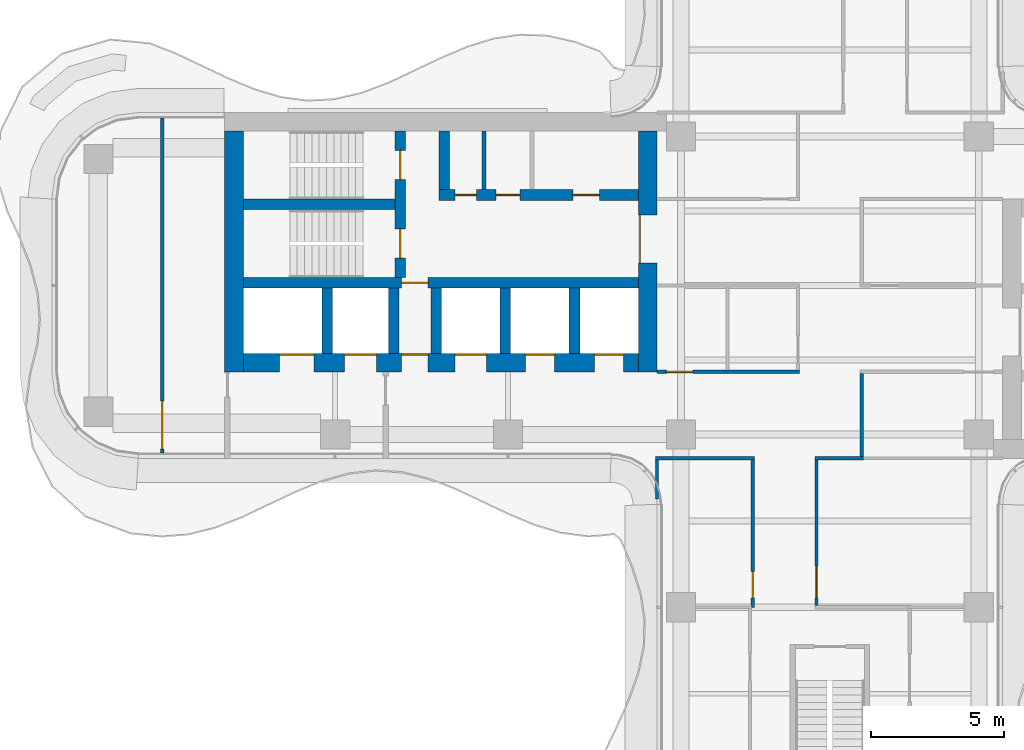
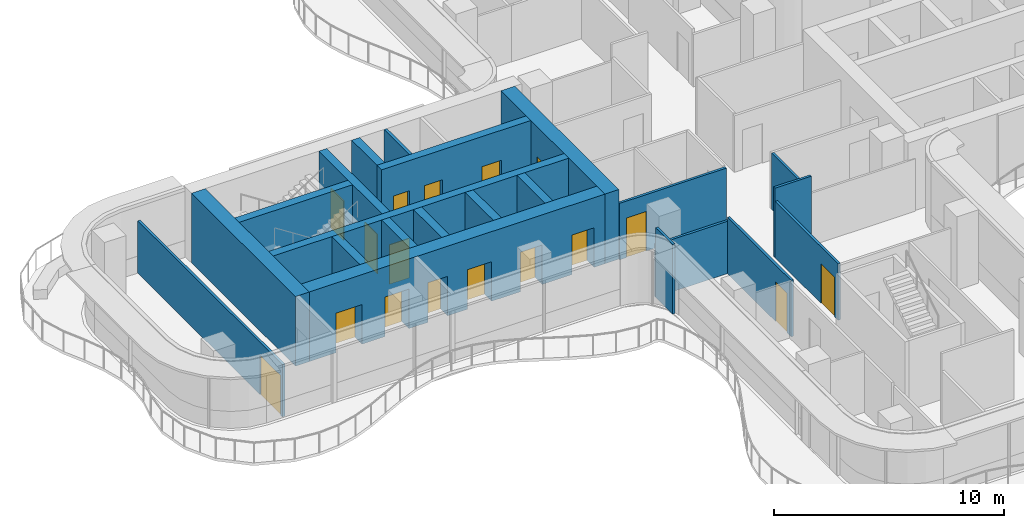
# One storey, part 12 of 17: 22 walls, 17 doors, 17 openings.
"""IFC4 building model written with IfcOpenShell, lengths in metres."""

import ifcopenshell
import ifcopenshell.guid

model = None  # the IFC model being written
_history = None  # IfcOwnerHistory: only IFC2X3 demands one
_inside = {}  # id of a spatial element -> (the spatial element, [elements in it])
_under = {}  # id of a project, library or spatial element -> (it, [spatial elements below it])
_declared = {}  # id of a project -> (the project, [libraries it declares])
_typed = {}  # id of a type object -> (the type object, [elements of that type])
_made_of = {}  # id of a material, layer set ... -> (it, [elements and type objects made of it])


def new_model(schema):
    """Start an empty IFC model of exactly this schema.

    Asked for "IFC4X3", IfcOpenShell would pick the latest addendum, in which some entities
    have other attributes; the version numbers below select the first issue.
    IFC2X3 requires an IfcOwnerHistory on every rooted entity: one is made here for all.
    """
    global model, _history
    if schema == "IFC4X3":
        model = ifcopenshell.file(schema_version=(4, 3, 0, 0))
    else:
        model = ifcopenshell.file(schema=schema)
    _inside.clear()
    _under.clear()
    _declared.clear()
    _typed.clear()
    _made_of.clear()
    _history = None
    if model.schema == "IFC2X3":
        org = make("IfcOrganization", Name="unknown")
        user = make(
            "IfcPersonAndOrganization",
            ThePerson=make("IfcPerson", FamilyName="unknown"),
            TheOrganization=org,
        )
        app = make(
            "IfcApplication",
            ApplicationDeveloper=org,
            Version="unknown",
            ApplicationFullName="unknown",
            ApplicationIdentifier="unknown",
        )
        _history = make(
            "IfcOwnerHistory",
            OwningUser=user,
            OwningApplication=app,
            ChangeAction="ADDED",
            CreationDate=0,
        )
    return model


def make(cls, **values):
    """One entity of the class cls with the attributes given. An attribute that is None is left unset."""
    return model.create_entity(
        cls, **{name: value for name, value in values.items() if value is not None}
    )


def rooted(cls, **values):
    """An entity with a GlobalId (a new one), such as an element, a storey or a relation."""
    return make(cls, GlobalId=ifcopenshell.guid.new(), OwnerHistory=_history, **values)


def si_unit(unit_type, name, prefix=None):
    """IfcSIUnit, for example si_unit("LENGTHUNIT", "METRE", prefix="MILLI")."""
    return make("IfcSIUnit", UnitType=unit_type, Prefix=prefix, Name=name)


def assignment(units):
    """IfcUnitAssignment: the units of a project."""
    return None if units is None else make("IfcUnitAssignment", Units=units)


def point(xyz):
    """IfcCartesianPoint."""
    return None if xyz is None else make("IfcCartesianPoint", Coordinates=xyz)


def direction(xyz):
    """IfcDirection."""
    return None if xyz is None else make("IfcDirection", DirectionRatios=xyz)


def frame(location, z_axis=None, x_axis=None):
    """IfcAxis2Placement3D, a coordinate frame: its origin and axes. An axis left out is left unset."""
    return make(
        "IfcAxis2Placement3D",
        Location=point(location),
        Axis=direction(z_axis),
        RefDirection=direction(x_axis),
    )


def frame_2d(location, x_axis=None):
    """IfcAxis2Placement2D, a coordinate frame in the plane: its origin and x axis."""
    return make(
        "IfcAxis2Placement2D", Location=point(location), RefDirection=direction(x_axis)
    )


def origin():
    """The frame at (0, 0, 0) with its axes left unset."""
    return frame((0.0, 0.0, 0.0))


def place(relative_to, where):
    """IfcLocalPlacement: puts the frame where relative to a parent placement (None: the world)."""
    return make(
        "IfcLocalPlacement", PlacementRelTo=relative_to, RelativePlacement=where
    )


def context(
    kind, dimensions, precision=None, world=None, true_north=None, identifier=None
):
    """IfcGeometricRepresentationContext, for example the 3D "Model" context."""
    return make(
        "IfcGeometricRepresentationContext",
        ContextIdentifier=identifier,
        ContextType=kind,
        CoordinateSpaceDimension=dimensions,
        Precision=precision,
        WorldCoordinateSystem=world,
        TrueNorth=true_north,
    )


def subcontext(parent, identifier, kind, view, scale=None):
    """IfcGeometricRepresentationSubContext, for example "Body" below "Model"."""
    return make(
        "IfcGeometricRepresentationSubContext",
        ContextIdentifier=identifier,
        ContextType=kind,
        ParentContext=parent,
        TargetScale=scale,
        TargetView=view,
    )


def project(units=None, contexts=None):
    """IfcProject with its units and contexts."""
    return rooted(
        "IfcProject",
        Name="project",
        RepresentationContexts=contexts,
        UnitsInContext=assignment(units),
    )


def spatial(cls, under=None, at=None, **own):
    """A site, building, storey or space (cls), placed at a placement, below another one or the project."""
    s = rooted(cls, ObjectPlacement=at, **own)
    if under is not None:
        _under.setdefault(under.id(), (under, []))[1].append(s)
    return s


def profile(cls, at=None, kind="AREA", **sizes):
    """A parametric profile (cls). Its sizes go by their IFC names, for example OverallWidth=200.0."""
    return make(cls, ProfileType=kind, Position=at, **sizes)


def rectangle(**sizes):
    """IfcRectangleProfileDef."""
    return profile("IfcRectangleProfileDef", **sizes)


def extrude(swept, where, along, depth):
    """IfcExtrudedAreaSolid: the profile swept, set in the frame where, extruded along a direction by depth."""
    return make(
        "IfcExtrudedAreaSolid",
        SweptArea=swept,
        Position=where,
        ExtrudedDirection=direction(along),
        Depth=depth,
    )


def shape(context_of_items, identifier, shape_type, items):
    """IfcShapeRepresentation: the items that make up one representation, for example the "Body"."""
    return make(
        "IfcShapeRepresentation",
        ContextOfItems=context_of_items,
        RepresentationIdentifier=identifier,
        RepresentationType=shape_type,
        Items=items,
    )


def source(mapping_origin, context_of_items, identifier, shape_type, items):
    """IfcRepresentationMap: a shape defined once, which mapped items show again and again."""
    return make(
        "IfcRepresentationMap",
        MappingOrigin=mapping_origin,
        MappedRepresentation=shape(context_of_items, identifier, shape_type, items),
    )


def transform(
    local_origin,
    x_axis=None,
    y_axis=None,
    z_axis=None,
    scale=None,
    scale2=None,
    scale3=None,
    uniform=True,
):
    """IfcCartesianTransformationOperator3D, or its non-uniform kind. x_axis, y_axis, z_axis: its Axis1, 2, 3."""
    if uniform:
        return make(
            "IfcCartesianTransformationOperator3D",
            Axis1=direction(x_axis),
            Axis2=direction(y_axis),
            LocalOrigin=point(local_origin),
            Scale=scale,
            Axis3=direction(z_axis),
        )
    return make(
        "IfcCartesianTransformationOperator3DnonUniform",
        Axis1=direction(x_axis),
        Axis2=direction(y_axis),
        LocalOrigin=point(local_origin),
        Scale=scale,
        Axis3=direction(z_axis),
        Scale2=scale2,
        Scale3=scale3,
    )


def mapped(mapping_source, mapping_target):
    """IfcMappedItem: shows the shape of a source again, moved by a transform."""
    return make(
        "IfcMappedItem", MappingSource=mapping_source, MappingTarget=mapping_target
    )


def material(Name=None, Category=None):
    """IfcMaterial."""
    return make("IfcMaterial", Name=Name, Category=Category)


def layer(
    of_material, thickness, ventilated=None, Name=None, Category=None, Priority=None
):
    """IfcMaterialLayer: one layer of a wall or slab, of a material (None: an air gap)."""
    return make(
        "IfcMaterialLayer",
        Material=of_material,
        LayerThickness=thickness,
        IsVentilated=ventilated,
        Name=Name,
        Category=Category,
        Priority=Priority,
    )


def layer_set(layers, Name=None):
    """IfcMaterialLayerSet."""
    return make("IfcMaterialLayerSet", MaterialLayers=layers, LayerSetName=Name)


def made_of(thing, what):
    """Note that an element or type object is made of a material, layer set ...; save() writes the relation."""
    if what is not None:
        _made_of.setdefault(what.id(), (what, []))[1].append(thing)
    return thing


def type_object(cls, material=None, **own):
    """A type object (cls), such as IfcWallType, which elements share."""
    return made_of(rooted(cls, **own), material)


def element(
    cls,
    number,
    at=None,
    inside=None,
    cuts=None,
    type_object=None,
    material=None,
    context=None,
    identifier="Body",
    shape_type=None,
    held_by="IfcProductDefinitionShape",
    body=None,
    shapes=None,
    **own,
):
    """One element of the class cls, such as IfcWall. Its Tag is "e" and its number.

    at: its placement. inside: the storey or other place that contains it. cuts: it is an
    opening in that element (IfcRelVoidsElement). A single representation is given by context,
    identifier, shape_type and body (its items); several are given by shapes. held_by: the class
    of the entity that holds the representations. save() writes the other relations.
    """
    e = rooted(cls, Tag="e%d" % number, ObjectPlacement=at, **own)
    if body is not None:
        shapes = [shape(context, identifier, shape_type, body)]
    if shapes is not None:
        e.Representation = make(held_by, Representations=shapes)
    if inside is not None:
        _inside.setdefault(inside.id(), (inside, []))[1].append(e)
    if cuts is not None:
        rooted(
            "IfcRelVoidsElement", RelatingBuildingElement=cuts, RelatedOpeningElement=e
        )
    if type_object is not None:
        _typed.setdefault(type_object.id(), (type_object, []))[1].append(e)
    return made_of(e, material)


def fill(opening, filler):
    """IfcRelFillsElement: the door or window that sits in an opening."""
    return rooted(
        "IfcRelFillsElement",
        RelatingOpeningElement=opening,
        RelatedBuildingElement=filler,
    )


def aggregate(whole, parts):
    """IfcRelAggregates: a whole, such as a stair, and the parts it consists of."""
    return rooted("IfcRelAggregates", RelatingObject=whole, RelatedObjects=parts)


def save(model, path):
    """Write the relations noted so far, then the file.

    IfcRelAggregates (storeys below a building ...), IfcRelContainedInSpatialStructure (elements
    in a storey), IfcRelDefinesByType, IfcRelAssociatesMaterial and IfcRelDeclares: one each for
    every whole, place, type object, material and project.
    """
    for whole, parts in _under.values():
        aggregate(whole, parts)
    for where, things in _inside.values():
        rooted(
            "IfcRelContainedInSpatialStructure",
            RelatedElements=things,
            RelatingStructure=where,
        )
    for kind, things in _typed.values():
        rooted("IfcRelDefinesByType", RelatedObjects=things, RelatingType=kind)
    for what, things in _made_of.values():
        rooted("IfcRelAssociatesMaterial", RelatedObjects=things, RelatingMaterial=what)
    for by, libraries in _declared.values():
        rooted("IfcRelDeclares", RelatingContext=by, RelatedDefinitions=libraries)
    model.write(path)


model = new_model("IFC4")

# Units and contexts
model_context = context("Model", 3, precision=1e-05, world=origin(), true_north=direction((0.0, 1.0)))
body_context = subcontext(model_context, "Body", "Model", "MODEL_VIEW")
ifc_project = project(units=[si_unit("LENGTHUNIT", "METRE"), si_unit("AREAUNIT", "SQUARE_METRE"), si_unit("VOLUMEUNIT", "CUBIC_METRE"), si_unit("PLANEANGLEUNIT", "RADIAN"), si_unit("MASSUNIT", "GRAM", prefix="KILO")], contexts=[model_context])

# Site, building, storey
site_placement = place(None, origin())
site = spatial("IfcSite", under=ifc_project, at=site_placement, CompositionType="ELEMENT")
building_placement = place(site_placement, origin())
building = spatial("IfcBuilding", under=site, at=building_placement, Name="Trellis Farm Tower", CompositionType="ELEMENT")
storey_placement = place(building_placement, frame((0.0, 0.0, 240.199951171875)))
storey = spatial("IfcBuildingStorey", under=building, at=storey_placement, Name="L53", CompositionType="ELEMENT", Elevation=240.199951171875)

# Wall, opening, door
ifc_material_1 = material(Name="Concrete C60/75", Category="concrete")
ifc_layer_1 = layer(ifc_material_1, 0.699951171875)
ifc_layer_set_1 = layer_set([ifc_layer_1], Name="CORE OUTER WALL 700 CONCRETE C60/75")
wall_type_1 = type_object("IfcWallType", Name="CORE OUTER WALL 700 CONCRETE C60/75", PredefinedType="SHEAR", material=ifc_layer_set_1)
shared_shape_1 = source(origin(), body_context, "Body", "SweptSolid", [
    extrude(rectangle(XDim=9.050048828125, YDim=0.699951171875, at=frame_2d((4.52490234375, 0.0))), origin(), (0.0, 0.0, 1.0), 3.699951171875),
])
wall_1_placement = place(storey_placement, frame((-6.85009765625, 5.800048828125, 0.0), z_axis=(0.0, 0.0, 1.0), x_axis=(0.0, -1.0, 0.0)))
wall_1 = element("IfcWall", 1, at=wall_1_placement, inside=storey, type_object=wall_type_1, Name="Core wall", PredefinedType="SHEAR", context=body_context, shape_type="MappedRepresentation", body=[
    mapped(shared_shape_1, transform((0.0, 0.0, 0.0))),
])
shared_shape_2 = source(origin(), body_context, "Body", "SweptSolid", [
    extrude(rectangle(XDim=1.800048828125, YDim=2.10009765625, at=frame_2d((0.89990234375, 1.050048828125))), frame((0.0, 0.360107421875, 0.0), z_axis=(0.0, -1.0, 0.0), x_axis=(1.0, 0.0, 0.0)), (0.0, 0.0, 1.0), 0.72021484375),
])
opening_1_placement = place(wall_1_placement, frame((3.14990234375, 0.0, 0.0)))
opening_1 = element("IfcOpeningElement", 2, at=opening_1_placement, cuts=wall_1, Name="Opening DC87", PredefinedType="OPENING", context=body_context, shape_type="MappedRepresentation", body=[
    mapped(shared_shape_2, transform((0.0, 0.0, 0.0))),
])
ifc_material_2 = material(Name="Steel", Category="steel")
door_type_1 = type_object("IfcDoorType", Name="CORE FIRE DOOR DOUBLE 1800 X 2100", OperationType="DOUBLE_DOOR_SINGLE_SWING", PredefinedType="DOOR", material=ifc_material_2)
shared_shape_3 = source(origin(), body_context, "Body", "SweptSolid", [
    extrude(rectangle(XDim=1.800048828125, YDim=2.10009765625, at=frame_2d((0.89990234375, 1.050048828125))), frame((0.0, -0.27490234375, 0.0), z_axis=(0.0, -1.0, 0.0), x_axis=(1.0, 0.0, 0.0)), (0.0, 0.0, 1.0), 0.050048828125),
])
door_1_placement = place(opening_1_placement, origin())
door_1 = element("IfcDoor", 3, at=door_1_placement, inside=storey, type_object=door_type_1, Name="Core door", OperationType="DOUBLE_DOOR_SINGLE_SWING", OverallHeight=2.10009765625, OverallWidth=1.800048828125, PredefinedType="DOOR", context=body_context, shape_type="MappedRepresentation", body=[
    mapped(shared_shape_3, transform((0.0, 0.0, 0.0))),
])
fill(opening_1, door_1)

# Walls
wall_2_placement = place(storey_placement, frame((-22.39990234375, 5.800048828125, 0.0), z_axis=(0.0, 0.0, 1.0), x_axis=(0.0, -1.0, 0.0)))
element("IfcWall", 4, at=wall_2_placement, inside=storey, type_object=wall_type_1, Name="Core wall", PredefinedType="SHEAR", context=body_context, shape_type="MappedRepresentation", body=[
    mapped(shared_shape_1, transform((0.0, 0.0, 0.0))),
])
ifc_layer_2 = layer(ifc_material_1, 0.39990234375)
ifc_layer_set_2 = layer_set([ifc_layer_2], Name="CORE INNER WALL 400 CONCRETE C60/75")
wall_type_2 = type_object("IfcWallType", Name="CORE INNER WALL 400 CONCRETE C60/75", PredefinedType="SHEAR", material=ifc_layer_set_2)
shared_shape_4 = source(origin(), body_context, "Body", "SweptSolid", [
    extrude(rectangle(XDim=2.449951171875, YDim=0.39990234375, at=frame_2d((1.22509765625, 0.0))), origin(), (0.0, 0.0, 1.0), 3.699951171875),
])
for number, where, z_axis, x_axis, name in (
    (5, (-9.60009765625, -0.10009765625, 0.0), (0.0, 0.0, 1.0), (0.0, -1.0, 0.0), "Core wall"),
    (6, (-12.199951171875, -0.10009765625, 0.0), (0.0, 0.0, 1.0), (0.0, -1.0, 0.0), "Core wall"),
    (7, (-14.800048828125, -0.10009765625, 0.0), (0.0, 0.0, 1.0), (0.0, -1.0, 0.0), "Core wall"),
    (8, (-16.39990234375, -0.10009765625, 0.0), (0.0, 0.0, 1.0), (0.0, -1.0, 0.0), "Core wall"),
    (9, (-18.89990234375, -0.10009765625, 0.0), (0.0, 0.0, 1.0), (0.0, -1.0, 0.0), "Core wall"),
):
    element("IfcWall", number, at=place(storey_placement, frame(where, z_axis=z_axis, x_axis=x_axis)), inside=storey, type_object=wall_type_2, Name=name, PredefinedType="SHEAR", context=body_context, shape_type="MappedRepresentation", body=[
        mapped(shared_shape_4, transform((0.0, 0.0, 0.0))),
    ])

# Wall, openings, doors
shared_shape_5 = source(origin(), body_context, "Body", "SweptSolid", [
    extrude(rectangle(XDim=14.85009765625, YDim=0.699951171875, at=frame_2d((7.425048828125, 0.0))), origin(), (0.0, 0.0, 1.0), 3.699951171875),
])
wall_3_placement = place(storey_placement, frame((-7.199951171875, -2.89990234375, 0.0), z_axis=(0.0, 0.0, 1.0), x_axis=(-1.0, 0.0, 0.0)))
wall_3 = element("IfcWall", 10, at=wall_3_placement, inside=storey, type_object=wall_type_1, Name="Core wall", PredefinedType="SHEAR", context=body_context, shape_type="MappedRepresentation", body=[
    mapped(shared_shape_5, transform((0.0, 0.0, 0.0))),
])
shared_shape_6 = source(origin(), body_context, "Body", "SweptSolid", [
    extrude(rectangle(XDim=1.10009765625, YDim=2.10009765625, at=frame_2d((0.550048828125, 1.050048828125))), frame((0.0, 0.360107421875, 0.0), z_axis=(0.0, -1.0, 0.0), x_axis=(1.0, 0.0, 0.0)), (0.0, 0.0, 1.0), 0.72021484375),
])
opening_2_placement = place(wall_3_placement, frame((0.550048828125, 0.0, 0.0)))
opening_2 = element("IfcOpeningElement", 11, at=opening_2_placement, cuts=wall_3, Name="Opening LD12", PredefinedType="OPENING", context=body_context, shape_type="MappedRepresentation", body=[
    mapped(shared_shape_6, transform((0.0, 0.0, 0.0))),
])
opening_3_placement = place(wall_3_placement, frame((3.14990234375, 0.0, 0.0)))
opening_3 = element("IfcOpeningElement", 12, at=opening_3_placement, cuts=wall_3, Name="Opening LD13", PredefinedType="OPENING", context=body_context, shape_type="MappedRepresentation", body=[
    mapped(shared_shape_6, transform((0.0, 0.0, 0.0))),
])
shared_shape_7 = source(origin(), body_context, "Body", "SweptSolid", [
    extrude(rectangle(XDim=1.199951171875, YDim=2.10009765625, at=frame_2d((0.60009765625, 1.050048828125))), frame((0.0, 0.360107421875, 0.0), z_axis=(0.0, -1.0, 0.0), x_axis=(1.0, 0.0, 0.0)), (0.0, 0.0, 1.0), 0.72021484375),
])
opening_4_placement = place(wall_3_placement, frame((5.699951171875, 0.0, 0.0)))
opening_4 = element("IfcOpeningElement", 13, at=opening_4_placement, cuts=wall_3, Name="Opening LD14", PredefinedType="OPENING", context=body_context, shape_type="MappedRepresentation", body=[
    mapped(shared_shape_7, transform((0.0, 0.0, 0.0))),
])
shared_shape_8 = source(origin(), body_context, "Body", "SweptSolid", [
    extrude(rectangle(XDim=1.300048828125, YDim=2.10009765625, at=frame_2d((0.64990234375, 1.050048828125))), frame((0.0, 0.360107421875, 0.0), z_axis=(0.0, -1.0, 0.0), x_axis=(1.0, 0.0, 0.0)), (0.0, 0.0, 1.0), 0.72021484375),
])
opening_5_placement = place(wall_3_placement, frame((12.199951171875, 0.0, 0.0)))
opening_5 = element("IfcOpeningElement", 14, at=opening_5_placement, cuts=wall_3, Name="Opening LD15", PredefinedType="OPENING", context=body_context, shape_type="MappedRepresentation", body=[
    mapped(shared_shape_8, transform((0.0, 0.0, 0.0))),
])
opening_6_placement = place(wall_3_placement, frame((9.85009765625, 0.0, 0.0)))
opening_6 = element("IfcOpeningElement", 15, at=opening_6_placement, cuts=wall_3, Name="Opening LD16", PredefinedType="OPENING", context=body_context, shape_type="MappedRepresentation", body=[
    mapped(shared_shape_7, transform((0.0, 0.0, 0.0))),
])
shared_shape_9 = source(origin(), body_context, "Body", "SweptSolid", [
    extrude(rectangle(XDim=1.0, YDim=2.10009765625, at=frame_2d((0.5, 1.050048828125))), frame((0.0, 0.360107421875, 0.0), z_axis=(0.0, -1.0, 0.0), x_axis=(1.0, 0.0, 0.0)), (0.0, 0.0, 1.0), 0.72021484375),
])
opening_7_placement = place(wall_3_placement, frame((7.89990234375, 0.0, 0.0)))
opening_7 = element("IfcOpeningElement", 16, at=opening_7_placement, cuts=wall_3, Name="Opening DC92", PredefinedType="OPENING", context=body_context, shape_type="MappedRepresentation", body=[
    mapped(shared_shape_9, transform((0.0, 0.0, 0.0))),
])
door_type_2 = type_object("IfcDoorType", Name="CORE FIRE DOOR 1000 X 2100", OperationType="NOTDEFINED", PredefinedType="DOOR", material=ifc_material_2)
shared_shape_10 = source(origin(), body_context, "Body", "SweptSolid", [
    extrude(rectangle(XDim=1.0, YDim=2.10009765625, at=frame_2d((0.5, 1.050048828125))), frame((0.0, -0.27490234375, 0.0), z_axis=(0.0, -1.0, 0.0), x_axis=(1.0, 0.0, 0.0)), (0.0, 0.0, 1.0), 0.050048828125),
])
door_2_placement = place(opening_7_placement, origin())
door_2 = element("IfcDoor", 17, at=door_2_placement, inside=storey, type_object=door_type_2, Name="Core door", OperationType="SINGLE_SWING_LEFT", OverallHeight=2.10009765625, OverallWidth=1.0, PredefinedType="DOOR", context=body_context, shape_type="MappedRepresentation", body=[
    mapped(shared_shape_10, transform((0.0, 0.0, 0.0))),
])
fill(opening_7, door_2)
ifc_material_3 = material(Name="Stainless steel", Category="steel")
door_type_3 = type_object("IfcDoorType", Name="LIFT LANDING DOOR 1300 X 2100", OperationType="DOUBLE_DOOR_SLIDING", PredefinedType="DOOR", material=ifc_material_3)
shared_shape_11 = source(origin(), body_context, "Body", "SweptSolid", [
    extrude(rectangle(XDim=1.300048828125, YDim=2.10009765625, at=frame_2d((0.64990234375, 1.050048828125))), frame((0.0, -0.27490234375, 0.0), z_axis=(0.0, -1.0, 0.0), x_axis=(1.0, 0.0, 0.0)), (0.0, 0.0, 1.0), 0.050048828125),
])
door_3_placement = place(opening_5_placement, origin())
door_3 = element("IfcDoor", 18, at=door_3_placement, inside=storey, type_object=door_type_3, Name="Lift landing door", OperationType="DOUBLE_DOOR_SLIDING", OverallHeight=2.10009765625, OverallWidth=1.300048828125, PredefinedType="DOOR", context=body_context, shape_type="MappedRepresentation", body=[
    mapped(shared_shape_11, transform((0.0, 0.0, 0.0))),
])
fill(opening_5, door_3)
door_type_4 = type_object("IfcDoorType", Name="LIFT LANDING DOOR 1200 X 2100", OperationType="DOUBLE_DOOR_SLIDING", PredefinedType="DOOR", material=ifc_material_3)
shared_shape_12 = source(origin(), body_context, "Body", "SweptSolid", [
    extrude(rectangle(XDim=1.199951171875, YDim=2.10009765625, at=frame_2d((0.60009765625, 1.050048828125))), frame((0.0, -0.27490234375, 0.0), z_axis=(0.0, -1.0, 0.0), x_axis=(1.0, 0.0, 0.0)), (0.0, 0.0, 1.0), 0.050048828125),
])
door_4_placement = place(opening_4_placement, origin())
door_4 = element("IfcDoor", 19, at=door_4_placement, inside=storey, type_object=door_type_4, Name="Lift landing door", OperationType="DOUBLE_DOOR_SLIDING", OverallHeight=2.10009765625, OverallWidth=1.199951171875, PredefinedType="DOOR", context=body_context, shape_type="MappedRepresentation", body=[
    mapped(shared_shape_12, transform((0.0, 0.0, 0.0))),
])
fill(opening_4, door_4)
door_5_placement = place(opening_6_placement, origin())
door_5 = element("IfcDoor", 20, at=door_5_placement, inside=storey, type_object=door_type_4, Name="Lift landing door", OperationType="DOUBLE_DOOR_SLIDING", OverallHeight=2.10009765625, OverallWidth=1.199951171875, PredefinedType="DOOR", context=body_context, shape_type="MappedRepresentation", body=[
    mapped(shared_shape_12, transform((0.0, 0.0, 0.0))),
])
fill(opening_6, door_5)
door_type_5 = type_object("IfcDoorType", Name="LIFT LANDING DOOR 1100 X 2100", OperationType="DOUBLE_DOOR_SLIDING", PredefinedType="DOOR", material=ifc_material_3)
shared_shape_13 = source(origin(), body_context, "Body", "SweptSolid", [
    extrude(rectangle(XDim=1.10009765625, YDim=2.10009765625, at=frame_2d((0.550048828125, 1.050048828125))), frame((0.0, -0.27490234375, 0.0), z_axis=(0.0, -1.0, 0.0), x_axis=(1.0, 0.0, 0.0)), (0.0, 0.0, 1.0), 0.050048828125),
])
door_6_placement = place(opening_2_placement, origin())
door_6 = element("IfcDoor", 21, at=door_6_placement, inside=storey, type_object=door_type_5, Name="Lift landing door", OperationType="DOUBLE_DOOR_SLIDING", OverallHeight=2.10009765625, OverallWidth=1.10009765625, PredefinedType="DOOR", context=body_context, shape_type="MappedRepresentation", body=[
    mapped(shared_shape_13, transform((0.0, 0.0, 0.0))),
])
fill(opening_2, door_6)
door_7_placement = place(opening_3_placement, origin())
door_7 = element("IfcDoor", 22, at=door_7_placement, inside=storey, type_object=door_type_5, Name="Lift landing door", OperationType="DOUBLE_DOOR_SLIDING", OverallHeight=2.10009765625, OverallWidth=1.10009765625, PredefinedType="DOOR", context=body_context, shape_type="MappedRepresentation", body=[
    mapped(shared_shape_13, transform((0.0, 0.0, 0.0))),
])
fill(opening_3, door_7)

shared_shape_14 = source(origin(), body_context, "Body", "SweptSolid", [
    extrude(rectangle(XDim=7.5, YDim=0.39990234375, at=frame_2d((3.75, 0.0))), origin(), (0.0, 0.0, 1.0), 3.699951171875),
])
wall_4_placement = place(storey_placement, frame((-7.199951171875, 3.39990234375, 0.0), z_axis=(0.0, 0.0, 1.0), x_axis=(-1.0, 0.0, 0.0)))
wall_4 = element("IfcWall", 23, at=wall_4_placement, inside=storey, type_object=wall_type_2, Name="Core wall", PredefinedType="SHEAR", context=body_context, shape_type="MappedRepresentation", body=[
    mapped(shared_shape_14, transform((0.0, 0.0, 0.0))),
])
shared_shape_15 = source(origin(), body_context, "Body", "SweptSolid", [
    extrude(rectangle(XDim=1.0, YDim=2.10009765625, at=frame_2d((0.5, 1.050048828125))), frame((0.0, 0.2099609375, 0.0), z_axis=(0.0, -1.0, 0.0), x_axis=(1.0, 0.0, 0.0)), (0.0, 0.0, 1.0), 0.419921875),
])
opening_8_placement = place(wall_4_placement, frame((1.46240234375, 0.0, 0.0)))
opening_8 = element("IfcOpeningElement", 24, at=opening_8_placement, cuts=wall_4, Name="Opening DC141", PredefinedType="OPENING", context=body_context, shape_type="MappedRepresentation", body=[
    mapped(shared_shape_15, transform((0.0, 0.0, 0.0))),
])
shared_shape_16 = source(origin(), body_context, "Body", "SweptSolid", [
    extrude(rectangle(XDim=0.89990234375, YDim=2.10009765625, at=frame_2d((0.449951171875, 1.050048828125))), frame((0.0, 0.2099609375, 0.0), z_axis=(0.0, -1.0, 0.0), x_axis=(1.0, 0.0, 0.0)), (0.0, 0.0, 1.0), 0.419921875),
])
opening_9_placement = place(wall_4_placement, frame((4.449951171875, 0.0, 0.0)))
opening_9 = element("IfcOpeningElement", 25, at=opening_9_placement, cuts=wall_4, Name="Opening DC146", PredefinedType="OPENING", context=body_context, shape_type="MappedRepresentation", body=[
    mapped(shared_shape_16, transform((0.0, 0.0, 0.0))),
])
shared_shape_17 = source(origin(), body_context, "Body", "SweptSolid", [
    extrude(rectangle(XDim=0.800048828125, YDim=2.10009765625, at=frame_2d((0.39990234375, 1.050048828125))), frame((0.0, 0.2099609375, 0.0), z_axis=(0.0, -1.0, 0.0), x_axis=(1.0, 0.0, 0.0)), (0.0, 0.0, 1.0), 0.419921875),
])
opening_10_placement = place(wall_4_placement, frame((6.08740234375, 0.0, 0.0)))
opening_10 = element("IfcOpeningElement", 26, at=opening_10_placement, cuts=wall_4, Name="Opening DC149", PredefinedType="OPENING", context=body_context, shape_type="MappedRepresentation", body=[
    mapped(shared_shape_17, transform((0.0, 0.0, 0.0))),
])
shared_shape_18 = source(origin(), body_context, "Body", "SweptSolid", [
    extrude(rectangle(XDim=1.0, YDim=2.10009765625, at=frame_2d((0.5, 1.050048828125))), frame((0.0, 0.02490234375, 0.0), z_axis=(0.0, -1.0, 0.0), x_axis=(1.0, 0.0, 0.0)), (0.0, 0.0, 1.0), 0.050048828125),
])
door_8_placement = place(opening_8_placement, origin())
door_8 = element("IfcDoor", 27, at=door_8_placement, inside=storey, type_object=door_type_2, Name="Core door", OperationType="SINGLE_SWING_LEFT", OverallHeight=2.10009765625, OverallWidth=1.0, PredefinedType="DOOR", context=body_context, shape_type="MappedRepresentation", body=[
    mapped(shared_shape_18, transform((0.0, 0.0, 0.0))),
])
fill(opening_8, door_8)
door_type_6 = type_object("IfcDoorType", Name="CORE FIRE DOOR 900 X 2100", OperationType="NOTDEFINED", PredefinedType="DOOR", material=ifc_material_2)
shared_shape_19 = source(origin(), body_context, "Body", "SweptSolid", [
    extrude(rectangle(XDim=0.89990234375, YDim=2.10009765625, at=frame_2d((0.449951171875, 1.050048828125))), frame((0.0, 0.02490234375, 0.0), z_axis=(0.0, -1.0, 0.0), x_axis=(1.0, 0.0, 0.0)), (0.0, 0.0, 1.0), 0.050048828125),
])
door_9_placement = place(opening_9_placement, origin())
door_9 = element("IfcDoor", 28, at=door_9_placement, inside=storey, type_object=door_type_6, Name="Core door", OperationType="SINGLE_SWING_RIGHT", OverallHeight=2.10009765625, OverallWidth=0.89990234375, PredefinedType="DOOR", context=body_context, shape_type="MappedRepresentation", body=[
    mapped(shared_shape_19, transform((0.0, 0.0, 0.0))),
])
fill(opening_9, door_9)
door_type_7 = type_object("IfcDoorType", Name="CORE FIRE DOOR 800 X 2100", OperationType="NOTDEFINED", PredefinedType="DOOR", material=ifc_material_2)
shared_shape_20 = source(origin(), body_context, "Body", "SweptSolid", [
    extrude(rectangle(XDim=0.800048828125, YDim=2.10009765625, at=frame_2d((0.39990234375, 1.050048828125))), frame((0.0, 0.02490234375, 0.0), z_axis=(0.0, -1.0, 0.0), x_axis=(1.0, 0.0, 0.0)), (0.0, 0.0, 1.0), 0.050048828125),
])
door_10_placement = place(opening_10_placement, origin())
door_10 = element("IfcDoor", 29, at=door_10_placement, inside=storey, type_object=door_type_7, Name="Core door", OperationType="SINGLE_SWING_LEFT", OverallHeight=2.10009765625, OverallWidth=0.800048828125, PredefinedType="DOOR", context=body_context, shape_type="MappedRepresentation", body=[
    mapped(shared_shape_20, transform((0.0, 0.0, 0.0))),
])
fill(opening_10, door_10)

# Wall, opening, door
shared_shape_21 = source(origin(), body_context, "Body", "SweptSolid", [
    extrude(rectangle(XDim=14.85009765625, YDim=0.39990234375, at=frame_2d((7.425048828125, 0.0))), origin(), (0.0, 0.0, 1.0), 3.699951171875),
])
wall_5_placement = place(storey_placement, frame((-7.199951171875, 0.10009765625, 0.0), z_axis=(0.0, 0.0, 1.0), x_axis=(-1.0, 0.0, 0.0)))
wall_5 = element("IfcWall", 30, at=wall_5_placement, inside=storey, type_object=wall_type_2, Name="Core wall", PredefinedType="SHEAR", context=body_context, shape_type="MappedRepresentation", body=[
    mapped(shared_shape_21, transform((0.0, 0.0, 0.0))),
])
opening_11_placement = place(wall_5_placement, frame((7.89990234375, 0.0, 0.0)))
opening_11 = element("IfcOpeningElement", 31, at=opening_11_placement, cuts=wall_5, Name="Opening DC91", PredefinedType="OPENING", context=body_context, shape_type="MappedRepresentation", body=[
    mapped(shared_shape_15, transform((0.0, 0.0, 0.0))),
])
door_11_placement = place(opening_11_placement, origin())
door_11 = element("IfcDoor", 32, at=door_11_placement, inside=storey, type_object=door_type_2, Name="Core door", OperationType="SINGLE_SWING_RIGHT", OverallHeight=2.10009765625, OverallWidth=1.0, PredefinedType="DOOR", context=body_context, shape_type="MappedRepresentation", body=[
    mapped(shared_shape_18, transform((0.0, 0.0, 0.0))),
])
fill(opening_11, door_11)

# Wall, openings, doors
shared_shape_22 = source(origin(), body_context, "Body", "SweptSolid", [
    extrude(rectangle(XDim=5.5, YDim=0.39990234375, at=frame_2d((2.75, 0.0))), origin(), (0.0, 0.0, 1.0), 3.699951171875),
])
wall_6_placement = place(storey_placement, frame((-16.14990234375, 5.800048828125, 0.0), z_axis=(0.0, 0.0, 1.0), x_axis=(0.0, -1.0, 0.0)))
wall_6 = element("IfcWall", 33, at=wall_6_placement, inside=storey, type_object=wall_type_2, Name="Core wall", PredefinedType="SHEAR", context=body_context, shape_type="MappedRepresentation", body=[
    mapped(shared_shape_22, transform((0.0, 0.0, 0.0))),
])
shared_shape_23 = source(origin(), body_context, "Body", "SweptSolid", [
    extrude(rectangle(XDim=1.10009765625, YDim=2.10009765625, at=frame_2d((0.550048828125, 1.050048828125))), frame((0.0, 0.2099609375, 0.0), z_axis=(0.0, -1.0, 0.0), x_axis=(1.0, 0.0, 0.0)), (0.0, 0.0, 1.0), 0.419921875),
])
opening_12_placement = place(wall_6_placement, frame((0.72509765625, 0.0, 0.0)))
opening_12 = element("IfcOpeningElement", 34, at=opening_12_placement, cuts=wall_6, Name="Opening DC88", PredefinedType="OPENING", context=body_context, shape_type="MappedRepresentation", body=[
    mapped(shared_shape_23, transform((0.0, 0.0, 0.0))),
])
opening_13_placement = place(wall_6_placement, frame((3.675048828125, 0.0, 0.0)))
opening_13 = element("IfcOpeningElement", 35, at=opening_13_placement, cuts=wall_6, Name="Opening DC89", PredefinedType="OPENING", context=body_context, shape_type="MappedRepresentation", body=[
    mapped(shared_shape_23, transform((0.0, 0.0, 0.0))),
])
door_type_8 = type_object("IfcDoorType", Name="CORE FIRE DOOR 1100 X 2100", OperationType="NOTDEFINED", PredefinedType="DOOR", material=ifc_material_2)
shared_shape_24 = source(origin(), body_context, "Body", "SweptSolid", [
    extrude(rectangle(XDim=1.10009765625, YDim=2.10009765625, at=frame_2d((0.550048828125, 1.050048828125))), frame((0.0, 0.02490234375, 0.0), z_axis=(0.0, -1.0, 0.0), x_axis=(1.0, 0.0, 0.0)), (0.0, 0.0, 1.0), 0.050048828125),
])
door_12_placement = place(opening_12_placement, origin())
door_12 = element("IfcDoor", 36, at=door_12_placement, inside=storey, type_object=door_type_8, Name="Core door", OperationType="SINGLE_SWING_RIGHT", OverallHeight=2.10009765625, OverallWidth=1.10009765625, PredefinedType="DOOR", context=body_context, shape_type="MappedRepresentation", body=[
    mapped(shared_shape_24, transform((0.0, 0.0, 0.0))),
])
fill(opening_12, door_12)
door_13_placement = place(opening_13_placement, origin())
door_13 = element("IfcDoor", 37, at=door_13_placement, inside=storey, type_object=door_type_8, Name="Core door", OperationType="SINGLE_SWING_LEFT", OverallHeight=2.10009765625, OverallWidth=1.10009765625, PredefinedType="DOOR", context=body_context, shape_type="MappedRepresentation", body=[
    mapped(shared_shape_24, transform((0.0, 0.0, 0.0))),
])
fill(opening_13, door_13)

# Walls
shared_shape_25 = source(origin(), body_context, "Body", "SweptSolid", [
    extrude(rectangle(XDim=5.699951171875, YDim=0.39990234375, at=frame_2d((2.85009765625, 0.0))), origin(), (0.0, 0.0, 1.0), 3.699951171875),
])
wall_7_placement = place(storey_placement, frame((-16.35009765625, 3.050048828125, 0.0), z_axis=(0.0, 0.0, 1.0), x_axis=(-1.0, 0.0, 0.0)))
element("IfcWall", 38, at=wall_7_placement, inside=storey, type_object=wall_type_2, Name="Core wall", PredefinedType="SHEAR", context=body_context, shape_type="MappedRepresentation", body=[
    mapped(shared_shape_25, transform((0.0, 0.0, 0.0))),
])
shared_shape_26 = source(origin(), body_context, "Body", "SweptSolid", [
    extrude(rectangle(XDim=2.199951171875, YDim=0.39990234375, at=frame_2d((1.10009765625, 0.0))), origin(), (0.0, 0.0, 1.0), 3.699951171875),
])
wall_8_placement = place(storey_placement, frame((-14.5, 5.800048828125, 0.0), z_axis=(0.0, 0.0, 1.0), x_axis=(0.0, -1.0, 0.0)))
element("IfcWall", 39, at=wall_8_placement, inside=storey, type_object=wall_type_2, Name="Core wall", PredefinedType="SHEAR", context=body_context, shape_type="MappedRepresentation", body=[
    mapped(shared_shape_26, transform((0.0, 0.0, 0.0))),
])
ifc_material_4 = material(Name="Masonry blockwork", Category="masonry")
ifc_layer_3 = layer(ifc_material_4, 0.14990234375)
ifc_layer_set_3 = layer_set([ifc_layer_3], Name="CORE PARTITION 150 BLOCKWORK")
wall_type_3 = type_object("IfcWallType", Name="CORE PARTITION 150 BLOCKWORK", PredefinedType="PARTITIONING", material=ifc_layer_set_3)
shared_shape_27 = source(origin(), body_context, "Body", "SweptSolid", [
    extrude(rectangle(XDim=2.199951171875, YDim=0.14990234375, at=frame_2d((1.10009765625, 0.0))), origin(), (0.0, 0.0, 1.0), 3.699951171875),
])
wall_9_placement = place(storey_placement, frame((-13.0, 5.800048828125, 0.0), z_axis=(0.0, 0.0, 1.0), x_axis=(0.0, -1.0, 0.0)))
element("IfcWall", 40, at=wall_9_placement, inside=storey, type_object=wall_type_3, Name="Core room partition", PredefinedType="PARTITIONING", context=body_context, shape_type="MappedRepresentation", body=[
    mapped(shared_shape_27, transform((0.0, 0.0, 0.0))),
])

# Wall, opening, door
ifc_material_5 = material(Name="Plasterboard on steel studs, mineral wool", Category="steel")
ifc_layer_4 = layer(ifc_material_5, 0.125)
ifc_layer_set_4 = layer_set([ifc_layer_4], Name="PARTITION 125 STUD EI 60")
wall_type_4 = type_object("IfcWallType", Name="PARTITION 125 STUD EI 60", PredefinedType="PARTITIONING", material=ifc_layer_set_4)
shared_shape_28 = source(origin(), body_context, "Body", "SweptSolid", [
    extrude(rectangle(XDim=5.47509765625, YDim=0.125, at=frame_2d((2.737548828125, 0.0))), origin(), (0.0, 0.0, 1.0), 2.99658203125),
])
wall_10_placement = place(storey_placement, frame((-0.5, -6.5625, 0.0), z_axis=(0.0, 0.0, 1.0), x_axis=(0.0, -1.0, 0.0)))
wall_10 = element("IfcWall", 41, at=wall_10_placement, inside=storey, type_object=wall_type_4, Name="Partition PW1", PredefinedType="PARTITIONING", context=body_context, shape_type="MappedRepresentation", body=[
    mapped(shared_shape_28, transform((0.0, 0.0, 0.0))),
])
shared_shape_29 = source(origin(), body_context, "Body", "SweptSolid", [
    extrude(rectangle(XDim=1.199951171875, YDim=2.10009765625, at=frame_2d((0.60009765625, 1.050048828125))), frame((0.0, 0.072509765625, 0.0), z_axis=(0.0, -1.0, 0.0), x_axis=(1.0, 0.0, 0.0)), (0.0, 0.0, 1.0), 0.14501953125),
])
opening_14_placement = place(wall_10_placement, frame((3.987548828125, 0.0, 0.0)))
opening_14 = element("IfcOpeningElement", 42, at=opening_14_placement, cuts=wall_10, Name="Opening D601", PredefinedType="OPENING", context=body_context, shape_type="MappedRepresentation", body=[
    mapped(shared_shape_29, transform((0.0, 0.0, 0.0))),
])
ifc_material_6 = material(Name="Fire-rated timber door leaf in a hollow metal frame", Category="wood")
door_type_9 = type_object("IfcDoorType", Name="DOOR 1200x2100 FD30S", OperationType="NOTDEFINED", PredefinedType="DOOR", material=ifc_material_6)
shared_shape_30 = source(origin(), body_context, "Body", "SweptSolid", [
    extrude(rectangle(XDim=1.199951171875, YDim=2.10009765625, at=frame_2d((0.60009765625, 1.050048828125))), frame((0.0, 0.02490234375, 0.0), z_axis=(0.0, -1.0, 0.0), x_axis=(1.0, 0.0, 0.0)), (0.0, 0.0, 1.0), 0.050048828125),
])
door_14_placement = place(opening_14_placement, origin())
door_14 = element("IfcDoor", 43, at=door_14_placement, inside=storey, type_object=door_type_9, Name="Door D601", OperationType="SINGLE_SWING_RIGHT", OverallHeight=2.10009765625, OverallWidth=1.199951171875, PredefinedType="DOOR", context=body_context, shape_type="MappedRepresentation", body=[
    mapped(shared_shape_30, transform((0.0, 0.0, 0.0))),
])
fill(opening_14, door_14)

# Wall
shared_shape_31 = source(origin(), body_context, "Body", "SweptSolid", [
    extrude(rectangle(XDim=3.137451171875, YDim=0.125, at=frame_2d((1.56884765625, 0.0))), origin(), (0.0, 0.0, 1.0), 2.99658203125),
])
wall_11_placement = place(storey_placement, frame((1.199951171875, -3.3125, 0.0), z_axis=(0.0, 0.0, 1.0), x_axis=(0.0, -1.0, 0.0)))
element("IfcWall", 44, at=wall_11_placement, inside=storey, type_object=wall_type_4, Name="Partition PW1", PredefinedType="PARTITIONING", context=body_context, shape_type="MappedRepresentation", body=[
    mapped(shared_shape_31, transform((0.0, 0.0, 0.0))),
])

# Wall, opening, door
shared_shape_32 = source(origin(), body_context, "Body", "SweptSolid", [
    extrude(rectangle(XDim=5.53759765625, YDim=0.125, at=frame_2d((2.768798828125, 0.0))), origin(), (0.0, 0.0, 1.0), 2.99658203125),
])
wall_12_placement = place(storey_placement, frame((-2.89990234375, -12.10009765625, 0.0), z_axis=(0.0, 0.0, 1.0), x_axis=(0.0, 1.0, 0.0)))
wall_12 = element("IfcWall", 45, at=wall_12_placement, inside=storey, type_object=wall_type_4, Name="Partition PW1", PredefinedType="PARTITIONING", context=body_context, shape_type="MappedRepresentation", body=[
    mapped(shared_shape_32, transform((0.0, 0.0, 0.0))),
])
shared_shape_33 = source(origin(), body_context, "Body", "SweptSolid", [
    extrude(rectangle(XDim=1.0, YDim=2.10009765625, at=frame_2d((0.5, 1.050048828125))), frame((0.0, 0.072509765625, 0.0), z_axis=(0.0, -1.0, 0.0), x_axis=(1.0, 0.0, 0.0)), (0.0, 0.0, 1.0), 0.14501953125),
])
opening_15_placement = place(wall_12_placement, frame((0.35009765625, 0.0, 0.0)))
opening_15 = element("IfcOpeningElement", 46, at=opening_15_placement, cuts=wall_12, Name="Opening D103", PredefinedType="OPENING", context=body_context, shape_type="MappedRepresentation", body=[
    mapped(shared_shape_33, transform((0.0, 0.0, 0.0))),
])
door_type_10 = type_object("IfcDoorType", Name="DOOR 1000x2100 FD30S", OperationType="NOTDEFINED", PredefinedType="DOOR", material=ifc_material_6)
door_15_placement = place(opening_15_placement, origin())
door_15 = element("IfcDoor", 47, at=door_15_placement, inside=storey, type_object=door_type_10, Name="Door D103", OperationType="SINGLE_SWING_LEFT", OverallHeight=2.10009765625, OverallWidth=1.0, PredefinedType="DOOR", context=body_context, shape_type="MappedRepresentation", body=[
    mapped(shared_shape_18, transform((0.0, 0.0, 0.0))),
])
fill(opening_15, door_15)

# Wall
shared_shape_34 = source(origin(), body_context, "Body", "SweptSolid", [
    extrude(rectangle(XDim=1.468994140625, YDim=0.125, at=frame_2d((0.734375, 0.0))), origin(), (0.0, 0.0, 1.0), 3.699951171875),
])
wall_13_placement = place(storey_placement, frame((-6.5, -6.5625, 0.0), z_axis=(0.0, 0.0, 1.0), x_axis=(0.0, -1.0, 0.0)))
element("IfcWall", 48, at=wall_13_placement, inside=storey, type_object=wall_type_4, Name="Partition PW1", PredefinedType="PARTITIONING", context=body_context, shape_type="MappedRepresentation", body=[
    mapped(shared_shape_34, transform((0.0, 0.0, 0.0))),
])

# Wall, opening, door
shared_shape_35 = source(origin(), body_context, "Body", "SweptSolid", [
    extrude(rectangle(XDim=12.60009765625, YDim=0.125, at=frame_2d((6.300048828125, 0.0))), origin(), (0.0, 0.0, 1.0), 2.780029296875),
])
wall_14_placement = place(storey_placement, frame((-25.10009765625, -6.300048828125, 0.0), z_axis=(0.0, 0.0, 1.0), x_axis=(0.0, 1.0, 0.0)))
wall_14 = element("IfcWall", 49, at=wall_14_placement, inside=storey, type_object=wall_type_4, Name="Partition PW1", PredefinedType="PARTITIONING", context=body_context, shape_type="MappedRepresentation", body=[
    mapped(shared_shape_35, transform((0.0, 0.0, 0.0))),
])
shared_shape_36 = source(origin(), body_context, "Body", "SweptSolid", [
    extrude(rectangle(XDim=1.800048828125, YDim=2.10009765625, at=frame_2d((0.89990234375, 1.050048828125))), frame((0.0, 0.072509765625, 0.0), z_axis=(0.0, -1.0, 0.0), x_axis=(1.0, 0.0, 0.0)), (0.0, 0.0, 1.0), 0.14501953125),
])
opening_16_placement = place(wall_14_placement, frame((0.14990234375, 0.0, 0.0)))
opening_16 = element("IfcOpeningElement", 50, at=opening_16_placement, cuts=wall_14, Name="Opening D202", PredefinedType="OPENING", context=body_context, shape_type="MappedRepresentation", body=[
    mapped(shared_shape_36, transform((0.0, 0.0, 0.0))),
])
door_type_11 = type_object("IfcDoorType", Name="DOOR PAIR 1800x2100 FD30S", OperationType="NOTDEFINED", PredefinedType="DOOR", material=ifc_material_6)
shared_shape_37 = source(origin(), body_context, "Body", "SweptSolid", [
    extrude(rectangle(XDim=1.800048828125, YDim=2.10009765625, at=frame_2d((0.89990234375, 1.050048828125))), frame((0.0, 0.02490234375, 0.0), z_axis=(0.0, -1.0, 0.0), x_axis=(1.0, 0.0, 0.0)), (0.0, 0.0, 1.0), 0.050048828125),
])
door_16_placement = place(opening_16_placement, origin())
door_16 = element("IfcDoor", 51, at=door_16_placement, inside=storey, type_object=door_type_11, Name="Door D202", OperationType="DOUBLE_DOOR_SINGLE_SWING", OverallHeight=2.10009765625, OverallWidth=1.800048828125, PredefinedType="DOOR", context=body_context, shape_type="MappedRepresentation", body=[
    mapped(shared_shape_37, transform((0.0, 0.0, 0.0))),
])
fill(opening_16, door_16)

shared_shape_38 = source(origin(), body_context, "Body", "SweptSolid", [
    extrude(rectangle(XDim=5.362548828125, YDim=0.125, at=frame_2d((2.68115234375, 0.0))), origin(), (0.0, 0.0, 1.0), 2.99658203125),
])
wall_15_placement = place(storey_placement, frame((-1.137451171875, -3.25, 0.0), z_axis=(0.0, 0.0, 1.0), x_axis=(-1.0, 0.0, 0.0)))
wall_15 = element("IfcWall", 52, at=wall_15_placement, inside=storey, type_object=wall_type_4, Name="Partition PW1", PredefinedType="PARTITIONING", context=body_context, shape_type="MappedRepresentation", body=[
    mapped(shared_shape_38, transform((0.0, 0.0, 0.0))),
])
opening_17_placement = place(wall_15_placement, frame((4.012451171875, 0.0, 0.0)))
opening_17 = element("IfcOpeningElement", 53, at=opening_17_placement, cuts=wall_15, Name="Opening D104", PredefinedType="OPENING", context=body_context, shape_type="MappedRepresentation", body=[
    mapped(shared_shape_33, transform((0.0, 0.0, 0.0))),
])
door_17_placement = place(opening_17_placement, origin())
door_17 = element("IfcDoor", 54, at=door_17_placement, inside=storey, type_object=door_type_10, Name="Door D104", OperationType="SINGLE_SWING_RIGHT", OverallHeight=2.10009765625, OverallWidth=1.0, PredefinedType="DOOR", context=body_context, shape_type="MappedRepresentation", body=[
    mapped(shared_shape_18, transform((0.0, 0.0, 0.0))),
])
fill(opening_17, door_17)

# Walls
shared_shape_39 = source(origin(), body_context, "Body", "SweptSolid", [
    extrude(rectangle(XDim=1.824951171875, YDim=0.125, at=frame_2d((0.91259765625, 0.0))), origin(), (0.0, 0.0, 1.0), 3.699951171875),
])
wall_16_placement = place(storey_placement, frame((1.262451171875, -6.5, 0.0), z_axis=(0.0, 0.0, 1.0), x_axis=(-1.0, 0.0, 0.0)))
element("IfcWall", 55, at=wall_16_placement, inside=storey, type_object=wall_type_4, Name="Partition PW1", PredefinedType="PARTITIONING", context=body_context, shape_type="MappedRepresentation", body=[
    mapped(shared_shape_39, transform((0.0, 0.0, 0.0))),
])
shared_shape_40 = source(origin(), body_context, "Body", "SweptSolid", [
    extrude(rectangle(XDim=3.72509765625, YDim=0.125, at=frame_2d((1.862548828125, 0.0))), origin(), (0.0, 0.0, 1.0), 2.780029296875),
])
wall_17_placement = place(storey_placement, frame((-2.83740234375, -6.5, 0.0), z_axis=(0.0, 0.0, 1.0), x_axis=(-1.0, 0.0, 0.0)))
element("IfcWall", 56, at=wall_17_placement, inside=storey, type_object=wall_type_4, Name="Partition PW1", PredefinedType="PARTITIONING", context=body_context, shape_type="MappedRepresentation", body=[
    mapped(shared_shape_40, transform((0.0, 0.0, 0.0))),
])

save(model, "model.ifc")
